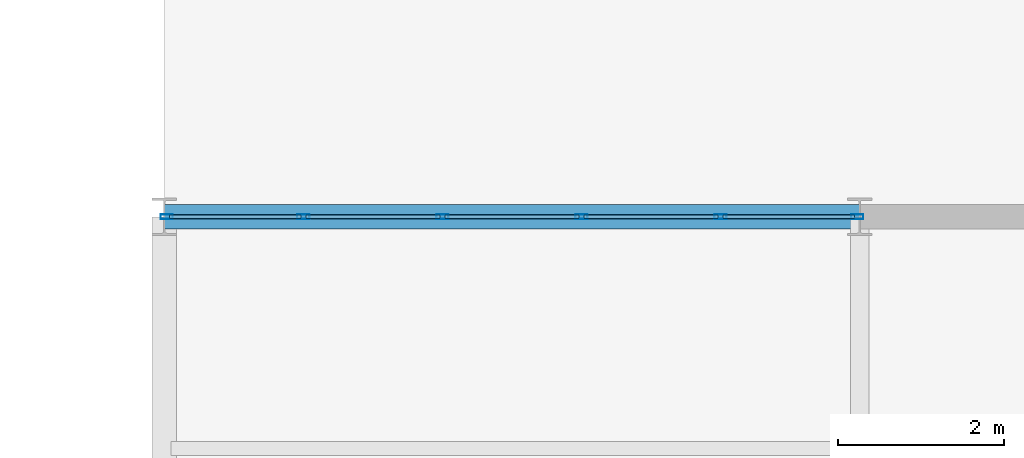
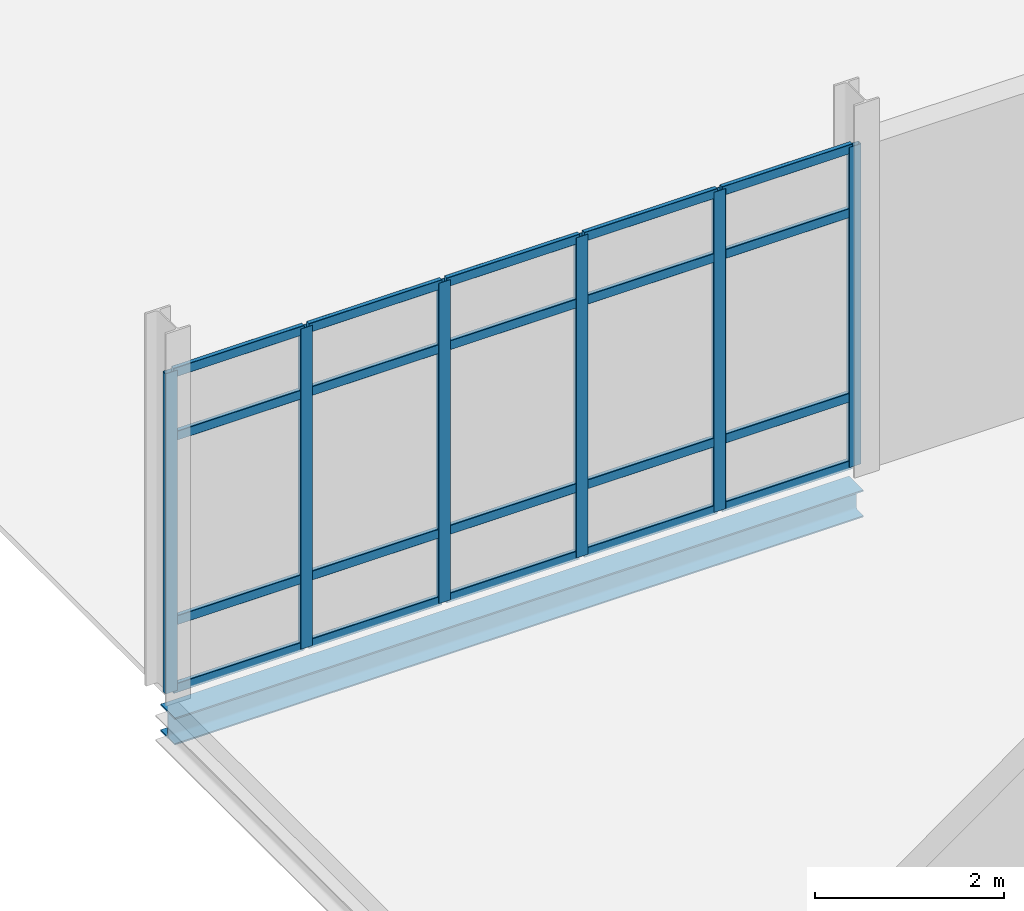
# One storey, part 59 of 145: 26 members, 1 beam, 1 element without a shape of its own.
"""IFC4 building model written with IfcOpenShell, lengths in metres."""

from ifc_helpers import new_model, si_unit, direction, frame, origin, origin_2d, place, context, subcontext, project, spatial, hollow_rectangle, i_section, extrude, material, layer, layer_set, material_profile, profile_set, type_object, element, aggregate, save


model = new_model("IFC4")

# Units and contexts
model_context = context("Model", 3, precision=1e-05, world=origin(), true_north=direction((0.0, 1.0)))
body_context = subcontext(model_context, "Body", "Model", "MODEL_VIEW")
ifc_project = project(units=[si_unit("LENGTHUNIT", "METRE"), si_unit("AREAUNIT", "SQUARE_METRE"), si_unit("VOLUMEUNIT", "CUBIC_METRE"), si_unit("PLANEANGLEUNIT", "RADIAN"), si_unit("MASSUNIT", "GRAM", prefix="KILO")], contexts=[model_context])

# Site, building, storey
site_placement = place(None, origin())
site = spatial("IfcSite", under=ifc_project, at=site_placement, CompositionType="ELEMENT")
building_placement = place(site_placement, origin())
building = spatial("IfcBuilding", under=site, at=building_placement, Name="Qalvenar Corner Mobility Hub", CompositionType="ELEMENT")
storey_placement = place(building_placement, origin())
storey = spatial("IfcBuildingStorey", under=building, at=storey_placement, Name="L00", CompositionType="ELEMENT", Elevation=0.0)

# Beam
ifc_material_1 = material(Name="Steel S355", Category="steel")
ifc_material_profile_1 = material_profile(ifc_material_1, i_section(OverallWidth=0.300048828125, OverallDepth=0.35009765625, WebThickness=0.010009765625, FlangeThickness=0.017578125, FilletRadius=0.027099609375, at=origin_2d()), Name="HEA360")
ifc_profile_set_1 = profile_set([ifc_material_profile_1], Name="Steel S355")
beam_type = type_object("IfcBeamType", Name="BM-SPN360", PredefinedType="SPANDREL", material=ifc_profile_set_1)
beam_placement = place(storey_placement, frame((109.199951171875, 50.39990234375, -0.425048828125), z_axis=(1.0, 0.0, 0.0), x_axis=(0.0, 1.0, 0.0)))
element("IfcBeam", 1, at=beam_placement, inside=storey, type_object=beam_type, Name="Primary Steel Girder GX-0290", PredefinedType="SPANDREL", context=body_context, shape_type="SweptSolid", body=[
    extrude(i_section(OverallWidth=0.300048828125, OverallDepth=0.35009765625, WebThickness=0.010009765625, FlangeThickness=0.017578125, FilletRadius=0.027099609375, at=origin_2d()), origin(), (0.0, 0.0, 1.0), 8.400146484375),
])

# Curtain wall, members
ifc_material_2 = material(Name="Anodised Aluminium and Low-E Glazing", Category="aluminium")
ifc_layer = layer(ifc_material_2, 0.14990234375)
ifc_layer_set = layer_set([ifc_layer], Name="Anodised Aluminium and Low-E Glazing")
curtain_wall_type = type_object("IfcCurtainWallType", Name="CW-WKS-84X44", PredefinedType="NOTDEFINED", material=ifc_layer_set)
curtain_wall_placement = place(storey_placement, origin())
curtain_wall = element("IfcCurtainWall", 2, at=curtain_wall_placement, inside=storey, type_object=curtain_wall_type, Name="Glazed Curtain Wall CW-V6-L00-N0", PredefinedType="NOTDEFINED")
ifc_material_3 = material(Name="Anodised Aluminium 6063-T6", Category="aluminium")
ifc_material_profile_2 = material_profile(ifc_material_3, hollow_rectangle(XDim=0.06005859375, YDim=0.14990234375, WallThickness=0.00390625, InnerFilletRadius=0.00390625, OuterFilletRadius=0.008056640625, at=origin_2d()), Name="RHS150x60x4")
ifc_profile_set_2 = profile_set([ifc_material_profile_2], Name="Anodised Aluminium 6063-T6")
member_type_1 = type_object("IfcMemberType", Name="CW-MUL150", PredefinedType="MULLION", material=ifc_profile_set_2)
member_1_placement = place(storey_placement, frame((117.570068359375, 50.39990234375, 0.0), z_axis=(0.0, 0.0, 1.0), x_axis=(0.0, -1.0, 0.0)))
member_1 = element("IfcMember", 3, at=member_1_placement, type_object=member_type_1, Name="CW-09 mullion 1", PredefinedType="MULLION", context=body_context, shape_type="SweptSolid", body=[
    extrude(hollow_rectangle(XDim=0.06005859375, YDim=0.14990234375, WallThickness=0.00390625, InnerFilletRadius=0.00390625, OuterFilletRadius=0.008056640625, at=origin_2d()), origin(), (0.0, 0.0, 1.0), 4.1298828125),
])
member_2_placement = place(storey_placement, frame((115.919921875, 50.39990234375, 0.0), z_axis=(0.0, 0.0, 1.0), x_axis=(0.0, -1.0, 0.0)))
member_2 = element("IfcMember", 4, at=member_2_placement, type_object=member_type_1, Name="CW-09 mullion 2", PredefinedType="MULLION", context=body_context, shape_type="SweptSolid", body=[
    extrude(hollow_rectangle(XDim=0.06005859375, YDim=0.14990234375, WallThickness=0.00390625, InnerFilletRadius=0.00390625, OuterFilletRadius=0.008056640625, at=origin_2d()), origin(), (0.0, 0.0, 1.0), 4.1298828125),
])
member_3_placement = place(storey_placement, frame((114.239990234375, 50.39990234375, 0.0), z_axis=(0.0, 0.0, 1.0), x_axis=(0.0, -1.0, 0.0)))
member_3 = element("IfcMember", 5, at=member_3_placement, type_object=member_type_1, Name="CW-09 mullion 3", PredefinedType="MULLION", context=body_context, shape_type="SweptSolid", body=[
    extrude(hollow_rectangle(XDim=0.06005859375, YDim=0.14990234375, WallThickness=0.00390625, InnerFilletRadius=0.00390625, OuterFilletRadius=0.008056640625, at=origin_2d()), origin(), (0.0, 0.0, 1.0), 4.1298828125),
])
member_4_placement = place(storey_placement, frame((112.56005859375, 50.39990234375, 0.0), z_axis=(0.0, 0.0, 1.0), x_axis=(0.0, -1.0, 0.0)))
member_4 = element("IfcMember", 6, at=member_4_placement, type_object=member_type_1, Name="CW-09 mullion 4", PredefinedType="MULLION", context=body_context, shape_type="SweptSolid", body=[
    extrude(hollow_rectangle(XDim=0.06005859375, YDim=0.14990234375, WallThickness=0.00390625, InnerFilletRadius=0.00390625, OuterFilletRadius=0.008056640625, at=origin_2d()), origin(), (0.0, 0.0, 1.0), 4.1298828125),
])
member_5_placement = place(storey_placement, frame((110.8798828125, 50.39990234375, 0.0), z_axis=(0.0, 0.0, 1.0), x_axis=(0.0, -1.0, 0.0)))
member_5 = element("IfcMember", 7, at=member_5_placement, type_object=member_type_1, Name="CW-09 mullion 5", PredefinedType="MULLION", context=body_context, shape_type="SweptSolid", body=[
    extrude(hollow_rectangle(XDim=0.06005859375, YDim=0.14990234375, WallThickness=0.00390625, InnerFilletRadius=0.00390625, OuterFilletRadius=0.008056640625, at=origin_2d()), origin(), (0.0, 0.0, 1.0), 4.1298828125),
])
member_6_placement = place(storey_placement, frame((109.22998046875, 50.39990234375, 0.0), z_axis=(0.0, 0.0, 1.0), x_axis=(0.0, -1.0, 0.0)))
member_6 = element("IfcMember", 8, at=member_6_placement, type_object=member_type_1, Name="CW-09 mullion 6", PredefinedType="MULLION", context=body_context, shape_type="SweptSolid", body=[
    extrude(hollow_rectangle(XDim=0.06005859375, YDim=0.14990234375, WallThickness=0.00390625, InnerFilletRadius=0.00390625, OuterFilletRadius=0.008056640625, at=origin_2d()), origin(), (0.0, 0.0, 1.0), 4.1298828125),
])
ifc_material_profile_3 = material_profile(ifc_material_3, hollow_rectangle(XDim=0.054931640625, YDim=0.1201171875, WallThickness=0.00341796875, InnerFilletRadius=0.00341796875, OuterFilletRadius=0.007080078125, at=origin_2d()), Name="RHS120x55x3.5")
ifc_profile_set_3 = profile_set([ifc_material_profile_3], Name="Anodised Aluminium 6063-T6")
member_type_2 = type_object("IfcMemberType", Name="CW-TRN120", PredefinedType="USERDEFINED", material=ifc_profile_set_3)
member_7_placement = place(storey_placement, frame((117.5400390625, 50.39990234375, 0.027587890625), z_axis=(-1.0, 0.0, 0.0), x_axis=(0.0, -1.0, 0.0)))
member_7 = element("IfcMember", 9, at=member_7_placement, type_object=member_type_2, Name="CW-09 transom 1.1", ObjectType="TRANSOM", PredefinedType="USERDEFINED", context=body_context, shape_type="SweptSolid", body=[
    extrude(hollow_rectangle(XDim=0.054931640625, YDim=0.1201171875, WallThickness=0.00341796875, InnerFilletRadius=0.00341796875, OuterFilletRadius=0.007080078125, at=origin_2d()), origin(), (0.0, 0.0, 1.0), 1.590087890625),
])
member_8_placement = place(storey_placement, frame((117.5400390625, 50.39990234375, 0.89990234375), z_axis=(-1.0, 0.0, 0.0), x_axis=(0.0, -1.0, 0.0)))
member_8 = element("IfcMember", 10, at=member_8_placement, type_object=member_type_2, Name="CW-09 transom 1.2", ObjectType="TRANSOM", PredefinedType="USERDEFINED", context=body_context, shape_type="SweptSolid", body=[
    extrude(hollow_rectangle(XDim=0.054931640625, YDim=0.1201171875, WallThickness=0.00341796875, InnerFilletRadius=0.00341796875, OuterFilletRadius=0.007080078125, at=origin_2d()), origin(), (0.0, 0.0, 1.0), 1.590087890625),
])
member_9_placement = place(storey_placement, frame((117.5400390625, 50.39990234375, 3.280029296875), z_axis=(-1.0, 0.0, 0.0), x_axis=(0.0, -1.0, 0.0)))
member_9 = element("IfcMember", 11, at=member_9_placement, type_object=member_type_2, Name="CW-09 transom 1.3", ObjectType="TRANSOM", PredefinedType="USERDEFINED", context=body_context, shape_type="SweptSolid", body=[
    extrude(hollow_rectangle(XDim=0.054931640625, YDim=0.1201171875, WallThickness=0.00341796875, InnerFilletRadius=0.00341796875, OuterFilletRadius=0.007080078125, at=origin_2d()), origin(), (0.0, 0.0, 1.0), 1.590087890625),
])
member_10_placement = place(storey_placement, frame((117.5400390625, 50.39990234375, 4.1025390625), z_axis=(-1.0, 0.0, 0.0), x_axis=(0.0, -1.0, 0.0)))
member_10 = element("IfcMember", 12, at=member_10_placement, type_object=member_type_2, Name="CW-09 transom 1.4", ObjectType="TRANSOM", PredefinedType="USERDEFINED", context=body_context, shape_type="SweptSolid", body=[
    extrude(hollow_rectangle(XDim=0.054931640625, YDim=0.1201171875, WallThickness=0.00341796875, InnerFilletRadius=0.00341796875, OuterFilletRadius=0.007080078125, at=origin_2d()), origin(), (0.0, 0.0, 1.0), 1.590087890625),
])
member_11_placement = place(storey_placement, frame((115.889892578125, 50.39990234375, 0.027587890625), z_axis=(-1.0, 0.0, 0.0), x_axis=(0.0, -1.0, 0.0)))
member_11 = element("IfcMember", 13, at=member_11_placement, type_object=member_type_2, Name="CW-09 transom 2.1", ObjectType="TRANSOM", PredefinedType="USERDEFINED", context=body_context, shape_type="SweptSolid", body=[
    extrude(hollow_rectangle(XDim=0.054931640625, YDim=0.1201171875, WallThickness=0.00341796875, InnerFilletRadius=0.00341796875, OuterFilletRadius=0.007080078125, at=origin_2d()), origin(), (0.0, 0.0, 1.0), 1.619873046875),
])
member_12_placement = place(storey_placement, frame((115.889892578125, 50.39990234375, 0.89990234375), z_axis=(-1.0, 0.0, 0.0), x_axis=(0.0, -1.0, 0.0)))
member_12 = element("IfcMember", 14, at=member_12_placement, type_object=member_type_2, Name="CW-09 transom 2.2", ObjectType="TRANSOM", PredefinedType="USERDEFINED", context=body_context, shape_type="SweptSolid", body=[
    extrude(hollow_rectangle(XDim=0.054931640625, YDim=0.1201171875, WallThickness=0.00341796875, InnerFilletRadius=0.00341796875, OuterFilletRadius=0.007080078125, at=origin_2d()), origin(), (0.0, 0.0, 1.0), 1.619873046875),
])
member_13_placement = place(storey_placement, frame((115.889892578125, 50.39990234375, 3.280029296875), z_axis=(-1.0, 0.0, 0.0), x_axis=(0.0, -1.0, 0.0)))
member_13 = element("IfcMember", 15, at=member_13_placement, type_object=member_type_2, Name="CW-09 transom 2.3", ObjectType="TRANSOM", PredefinedType="USERDEFINED", context=body_context, shape_type="SweptSolid", body=[
    extrude(hollow_rectangle(XDim=0.054931640625, YDim=0.1201171875, WallThickness=0.00341796875, InnerFilletRadius=0.00341796875, OuterFilletRadius=0.007080078125, at=origin_2d()), origin(), (0.0, 0.0, 1.0), 1.619873046875),
])
member_14_placement = place(storey_placement, frame((115.889892578125, 50.39990234375, 4.1025390625), z_axis=(-1.0, 0.0, 0.0), x_axis=(0.0, -1.0, 0.0)))
member_14 = element("IfcMember", 16, at=member_14_placement, type_object=member_type_2, Name="CW-09 transom 2.4", ObjectType="TRANSOM", PredefinedType="USERDEFINED", context=body_context, shape_type="SweptSolid", body=[
    extrude(hollow_rectangle(XDim=0.054931640625, YDim=0.1201171875, WallThickness=0.00341796875, InnerFilletRadius=0.00341796875, OuterFilletRadius=0.007080078125, at=origin_2d()), origin(), (0.0, 0.0, 1.0), 1.619873046875),
])
member_15_placement = place(storey_placement, frame((114.2099609375, 50.39990234375, 0.027587890625), z_axis=(-1.0, 0.0, 0.0), x_axis=(0.0, -1.0, 0.0)))
member_15 = element("IfcMember", 17, at=member_15_placement, type_object=member_type_2, Name="CW-09 transom 3.1", ObjectType="TRANSOM", PredefinedType="USERDEFINED", context=body_context, shape_type="SweptSolid", body=[
    extrude(hollow_rectangle(XDim=0.054931640625, YDim=0.1201171875, WallThickness=0.00341796875, InnerFilletRadius=0.00341796875, OuterFilletRadius=0.007080078125, at=origin_2d()), origin(), (0.0, 0.0, 1.0), 1.619873046875),
])
member_16_placement = place(storey_placement, frame((114.2099609375, 50.39990234375, 0.89990234375), z_axis=(-1.0, 0.0, 0.0), x_axis=(0.0, -1.0, 0.0)))
member_16 = element("IfcMember", 18, at=member_16_placement, type_object=member_type_2, Name="CW-09 transom 3.2", ObjectType="TRANSOM", PredefinedType="USERDEFINED", context=body_context, shape_type="SweptSolid", body=[
    extrude(hollow_rectangle(XDim=0.054931640625, YDim=0.1201171875, WallThickness=0.00341796875, InnerFilletRadius=0.00341796875, OuterFilletRadius=0.007080078125, at=origin_2d()), origin(), (0.0, 0.0, 1.0), 1.619873046875),
])
member_17_placement = place(storey_placement, frame((114.2099609375, 50.39990234375, 3.280029296875), z_axis=(-1.0, 0.0, 0.0), x_axis=(0.0, -1.0, 0.0)))
member_17 = element("IfcMember", 19, at=member_17_placement, type_object=member_type_2, Name="CW-09 transom 3.3", ObjectType="TRANSOM", PredefinedType="USERDEFINED", context=body_context, shape_type="SweptSolid", body=[
    extrude(hollow_rectangle(XDim=0.054931640625, YDim=0.1201171875, WallThickness=0.00341796875, InnerFilletRadius=0.00341796875, OuterFilletRadius=0.007080078125, at=origin_2d()), origin(), (0.0, 0.0, 1.0), 1.619873046875),
])
member_18_placement = place(storey_placement, frame((114.2099609375, 50.39990234375, 4.1025390625), z_axis=(-1.0, 0.0, 0.0), x_axis=(0.0, -1.0, 0.0)))
member_18 = element("IfcMember", 20, at=member_18_placement, type_object=member_type_2, Name="CW-09 transom 3.4", ObjectType="TRANSOM", PredefinedType="USERDEFINED", context=body_context, shape_type="SweptSolid", body=[
    extrude(hollow_rectangle(XDim=0.054931640625, YDim=0.1201171875, WallThickness=0.00341796875, InnerFilletRadius=0.00341796875, OuterFilletRadius=0.007080078125, at=origin_2d()), origin(), (0.0, 0.0, 1.0), 1.619873046875),
])
member_19_placement = place(storey_placement, frame((112.530029296875, 50.39990234375, 0.027587890625), z_axis=(-1.0, 0.0, 0.0), x_axis=(0.0, -1.0, 0.0)))
member_19 = element("IfcMember", 21, at=member_19_placement, type_object=member_type_2, Name="CW-09 transom 4.1", ObjectType="TRANSOM", PredefinedType="USERDEFINED", context=body_context, shape_type="SweptSolid", body=[
    extrude(hollow_rectangle(XDim=0.054931640625, YDim=0.1201171875, WallThickness=0.00341796875, InnerFilletRadius=0.00341796875, OuterFilletRadius=0.007080078125, at=origin_2d()), origin(), (0.0, 0.0, 1.0), 1.6201171875),
])
member_20_placement = place(storey_placement, frame((112.530029296875, 50.39990234375, 0.89990234375), z_axis=(-1.0, 0.0, 0.0), x_axis=(0.0, -1.0, 0.0)))
member_20 = element("IfcMember", 22, at=member_20_placement, type_object=member_type_2, Name="CW-09 transom 4.2", ObjectType="TRANSOM", PredefinedType="USERDEFINED", context=body_context, shape_type="SweptSolid", body=[
    extrude(hollow_rectangle(XDim=0.054931640625, YDim=0.1201171875, WallThickness=0.00341796875, InnerFilletRadius=0.00341796875, OuterFilletRadius=0.007080078125, at=origin_2d()), origin(), (0.0, 0.0, 1.0), 1.6201171875),
])
member_21_placement = place(storey_placement, frame((112.530029296875, 50.39990234375, 3.280029296875), z_axis=(-1.0, 0.0, 0.0), x_axis=(0.0, -1.0, 0.0)))
member_21 = element("IfcMember", 23, at=member_21_placement, type_object=member_type_2, Name="CW-09 transom 4.3", ObjectType="TRANSOM", PredefinedType="USERDEFINED", context=body_context, shape_type="SweptSolid", body=[
    extrude(hollow_rectangle(XDim=0.054931640625, YDim=0.1201171875, WallThickness=0.00341796875, InnerFilletRadius=0.00341796875, OuterFilletRadius=0.007080078125, at=origin_2d()), origin(), (0.0, 0.0, 1.0), 1.6201171875),
])
member_22_placement = place(storey_placement, frame((112.530029296875, 50.39990234375, 4.1025390625), z_axis=(-1.0, 0.0, 0.0), x_axis=(0.0, -1.0, 0.0)))
member_22 = element("IfcMember", 24, at=member_22_placement, type_object=member_type_2, Name="CW-09 transom 4.4", ObjectType="TRANSOM", PredefinedType="USERDEFINED", context=body_context, shape_type="SweptSolid", body=[
    extrude(hollow_rectangle(XDim=0.054931640625, YDim=0.1201171875, WallThickness=0.00341796875, InnerFilletRadius=0.00341796875, OuterFilletRadius=0.007080078125, at=origin_2d()), origin(), (0.0, 0.0, 1.0), 1.6201171875),
])
member_23_placement = place(storey_placement, frame((110.85009765625, 50.39990234375, 0.027587890625), z_axis=(-1.0, 0.0, 0.0), x_axis=(0.0, -1.0, 0.0)))
member_23 = element("IfcMember", 25, at=member_23_placement, type_object=member_type_2, Name="CW-09 transom 5.1", ObjectType="TRANSOM", PredefinedType="USERDEFINED", context=body_context, shape_type="SweptSolid", body=[
    extrude(hollow_rectangle(XDim=0.054931640625, YDim=0.1201171875, WallThickness=0.00341796875, InnerFilletRadius=0.00341796875, OuterFilletRadius=0.007080078125, at=origin_2d()), origin(), (0.0, 0.0, 1.0), 1.590087890625),
])
member_24_placement = place(storey_placement, frame((110.85009765625, 50.39990234375, 0.89990234375), z_axis=(-1.0, 0.0, 0.0), x_axis=(0.0, -1.0, 0.0)))
member_24 = element("IfcMember", 26, at=member_24_placement, type_object=member_type_2, Name="CW-09 transom 5.2", ObjectType="TRANSOM", PredefinedType="USERDEFINED", context=body_context, shape_type="SweptSolid", body=[
    extrude(hollow_rectangle(XDim=0.054931640625, YDim=0.1201171875, WallThickness=0.00341796875, InnerFilletRadius=0.00341796875, OuterFilletRadius=0.007080078125, at=origin_2d()), origin(), (0.0, 0.0, 1.0), 1.590087890625),
])
member_25_placement = place(storey_placement, frame((110.85009765625, 50.39990234375, 3.280029296875), z_axis=(-1.0, 0.0, 0.0), x_axis=(0.0, -1.0, 0.0)))
member_25 = element("IfcMember", 27, at=member_25_placement, type_object=member_type_2, Name="CW-09 transom 5.3", ObjectType="TRANSOM", PredefinedType="USERDEFINED", context=body_context, shape_type="SweptSolid", body=[
    extrude(hollow_rectangle(XDim=0.054931640625, YDim=0.1201171875, WallThickness=0.00341796875, InnerFilletRadius=0.00341796875, OuterFilletRadius=0.007080078125, at=origin_2d()), origin(), (0.0, 0.0, 1.0), 1.590087890625),
])
member_26_placement = place(storey_placement, frame((110.85009765625, 50.39990234375, 4.1025390625), z_axis=(-1.0, 0.0, 0.0), x_axis=(0.0, -1.0, 0.0)))
member_26 = element("IfcMember", 28, at=member_26_placement, type_object=member_type_2, Name="CW-09 transom 5.4", ObjectType="TRANSOM", PredefinedType="USERDEFINED", context=body_context, shape_type="SweptSolid", body=[
    extrude(hollow_rectangle(XDim=0.054931640625, YDim=0.1201171875, WallThickness=0.00341796875, InnerFilletRadius=0.00341796875, OuterFilletRadius=0.007080078125, at=origin_2d()), origin(), (0.0, 0.0, 1.0), 1.590087890625),
])
aggregate(curtain_wall, [member_1, member_2, member_3, member_4, member_5, member_6, member_7, member_8, member_9, member_10, member_11, member_12, member_13, member_14, member_15, member_16, member_17, member_18, member_19, member_20, member_21, member_22, member_23, member_24, member_25, member_26])

save(model, "model.ifc")
